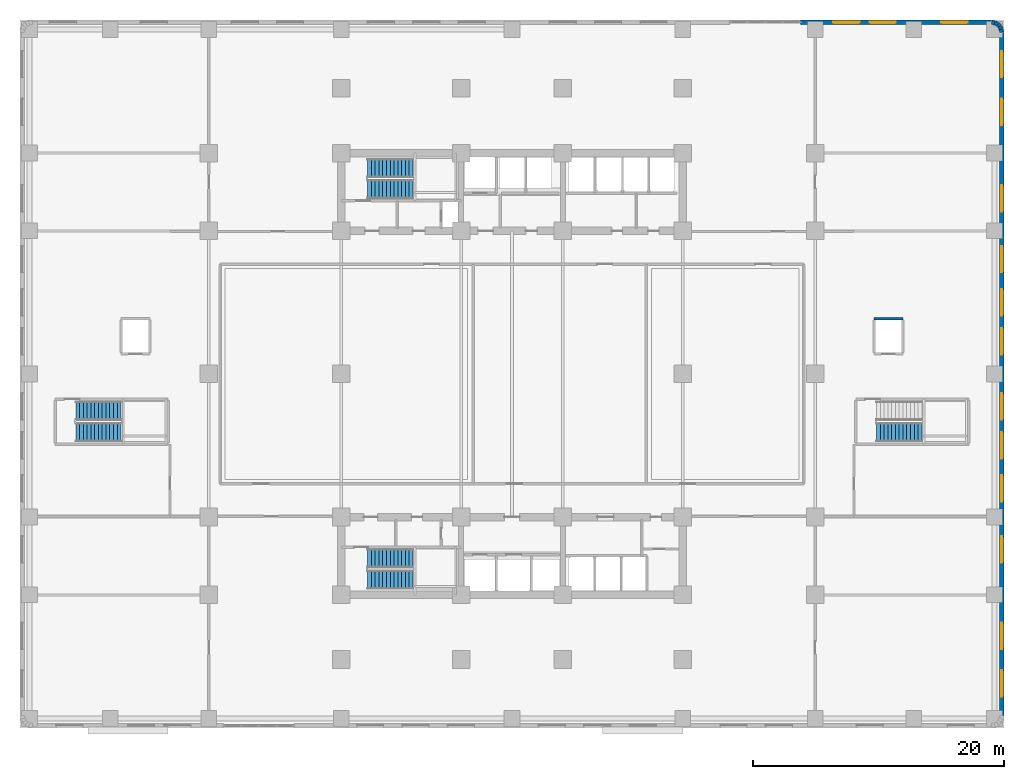
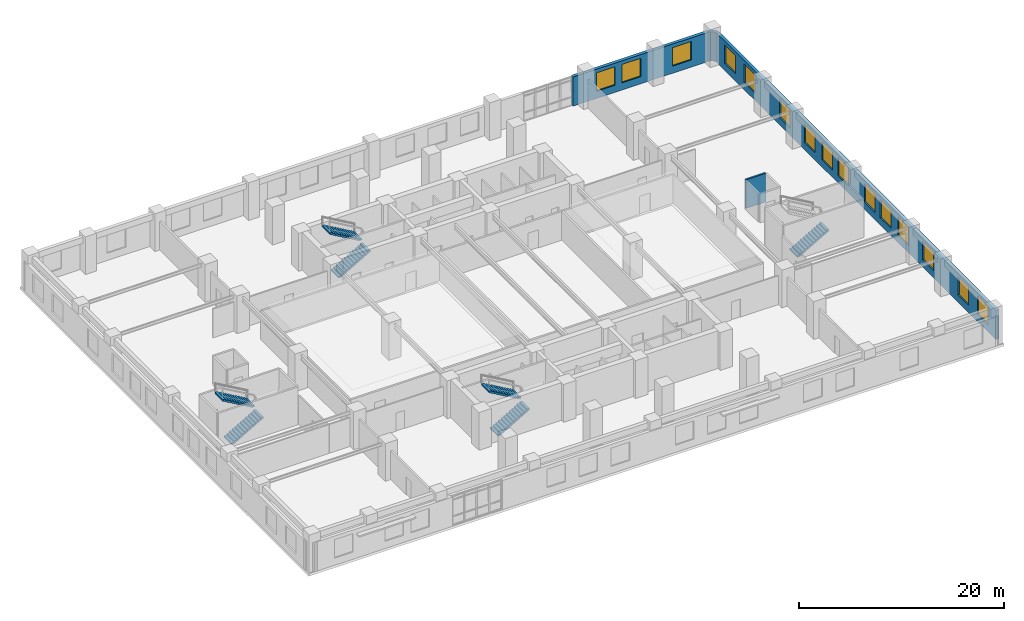
# One storey, part 10 of 15: 15 windows, 8 walls, 7 stair flights, 15 openings, 4 elements without a shape of their own.
"""IFC4 building model written with IfcOpenShell, lengths in metres."""

from ifc_helpers import new_model, si_unit, direction, frame, frame_2d, origin, place, context, subcontext, project, spatial, polyline, rectangle, outline, extrude, material, layer, layer_set, type_object, element, fill, aggregate, save


model = new_model("IFC4")

# Units and contexts
model_context = context("Model", 3, precision=1e-05, world=origin(), true_north=direction((0.0, 1.0)))
body_context = subcontext(model_context, "Body", "Model", "MODEL_VIEW")
ifc_project = project(units=[si_unit("LENGTHUNIT", "METRE"), si_unit("AREAUNIT", "SQUARE_METRE"), si_unit("VOLUMEUNIT", "CUBIC_METRE"), si_unit("PLANEANGLEUNIT", "RADIAN"), si_unit("MASSUNIT", "GRAM", prefix="KILO")], contexts=[model_context])

# Site, building, storey
site_placement = place(None, origin())
site = spatial("IfcSite", under=ifc_project, at=site_placement, CompositionType="ELEMENT")
building_placement = place(site_placement, origin())
building = spatial("IfcBuilding", under=site, at=building_placement, Name="Svetorya Sky Lyceum", CompositionType="ELEMENT")
storey_placement = place(building_placement, frame((0.0, 0.0, 6.60009765625)))
storey = spatial("IfcBuildingStorey", under=building, at=storey_placement, Name="L01", CompositionType="ELEMENT", Elevation=6.60009765625)

# Wall, openings, windows
ifc_material_1 = material(Name="Putilovo limestone rainscreen on autoclaved cellular masonry", Category="masonry")
ifc_layer_1 = layer(ifc_material_1, 0.360107421875)
ifc_layer_set_1 = layer_set([ifc_layer_1], Name="Putilovo limestone rainscreen on autoclaved cellular masonry")
wall_type_1 = type_object("IfcWallType", Name="WL-EXT-360", PredefinedType="SOLIDWALL", material=ifc_layer_set_1)
wall_1_placement = place(storey_placement, frame((78.219970703125, 0.97998046875, 0.0), z_axis=(0.0, 0.0, 1.0), x_axis=(0.0, 1.0, 0.0)))
wall_1 = element("IfcWall", 1, at=wall_1_placement, inside=storey, type_object=wall_type_1, Name="L01 Limestone Exterior Wall 12M", PredefinedType="SOLIDWALL", context=body_context, shape_type="SweptSolid", body=[
    extrude(rectangle(XDim=54.43994140625, YDim=0.360107421875, at=frame_2d((27.219970703125, 0.0))), origin(), (0.0, 0.0, 1.0), 3.47998046875),
])
opening_1_placement = place(wall_1_placement, frame((1.497802734375, 0.0, 0.85009765625)))
opening_1 = element("IfcOpeningElement", 2, at=opening_1_placement, cuts=wall_1, Name="Opening W-S3", PredefinedType="OPENING", context=body_context, shape_type="SweptSolid", body=[
    extrude(rectangle(XDim=2.10009765625, YDim=2.199951171875, at=frame_2d((1.050048828125, 1.10009765625))), frame((0.0, 0.18994140625, 0.0), z_axis=(0.0, -1.0, 0.0), x_axis=(1.0, 0.0, 0.0)), (0.0, 0.0, 1.0), 0.380126953125),
])
opening_2_placement = place(wall_1_placement, frame((5.293701171875, 0.0, 0.85009765625)))
opening_2 = element("IfcOpeningElement", 3, at=opening_2_placement, cuts=wall_1, Name="Opening W-S3", PredefinedType="OPENING", context=body_context, shape_type="SweptSolid", body=[
    extrude(rectangle(XDim=2.10009765625, YDim=2.199951171875, at=frame_2d((1.050048828125, 1.10009765625))), frame((0.0, 0.18994140625, 0.0), z_axis=(0.0, -1.0, 0.0), x_axis=(1.0, 0.0, 0.0)), (0.0, 0.0, 1.0), 0.380126953125),
])
opening_3_placement = place(wall_1_placement, frame((12.18505859375, 0.0, 0.85009765625)))
opening_3 = element("IfcOpeningElement", 4, at=opening_3_placement, cuts=wall_1, Name="Opening W-S3", PredefinedType="OPENING", context=body_context, shape_type="SweptSolid", body=[
    extrude(rectangle(XDim=2.10009765625, YDim=2.199951171875, at=frame_2d((1.050048828125, 1.10009765625))), frame((0.0, 0.18994140625, 0.0), z_axis=(0.0, -1.0, 0.0), x_axis=(1.0, 0.0, 0.0)), (0.0, 0.0, 1.0), 0.380126953125),
])
opening_4_placement = place(wall_1_placement, frame((17.03076171875, 0.0, 0.85009765625)))
opening_4 = element("IfcOpeningElement", 5, at=opening_4_placement, cuts=wall_1, Name="Opening W-S3", PredefinedType="OPENING", context=body_context, shape_type="SweptSolid", body=[
    extrude(rectangle(XDim=2.10009765625, YDim=2.199951171875, at=frame_2d((1.050048828125, 1.10009765625))), frame((0.0, 0.18994140625, 0.0), z_axis=(0.0, -1.0, 0.0), x_axis=(1.0, 0.0, 0.0)), (0.0, 0.0, 1.0), 0.380126953125),
])
opening_5_placement = place(wall_1_placement, frame((20.476318359375, 0.0, 0.85009765625)))
opening_5 = element("IfcOpeningElement", 6, at=opening_5_placement, cuts=wall_1, Name="Opening W-S3", PredefinedType="OPENING", context=body_context, shape_type="SweptSolid", body=[
    extrude(rectangle(XDim=2.10009765625, YDim=2.199951171875, at=frame_2d((1.050048828125, 1.10009765625))), frame((0.0, 0.18994140625, 0.0), z_axis=(0.0, -1.0, 0.0), x_axis=(1.0, 0.0, 0.0)), (0.0, 0.0, 1.0), 0.380126953125),
])
opening_6_placement = place(wall_1_placement, frame((23.572021484375, 0.0, 0.85009765625)))
opening_6 = element("IfcOpeningElement", 7, at=opening_6_placement, cuts=wall_1, Name="Opening W-S3", PredefinedType="OPENING", context=body_context, shape_type="SweptSolid", body=[
    extrude(rectangle(XDim=2.10009765625, YDim=2.199951171875, at=frame_2d((1.050048828125, 1.10009765625))), frame((0.0, 0.18994140625, 0.0), z_axis=(0.0, -1.0, 0.0), x_axis=(1.0, 0.0, 0.0)), (0.0, 0.0, 1.0), 0.380126953125),
])
opening_7_placement = place(wall_1_placement, frame((28.767822265625, 0.0, 0.85009765625)))
opening_7 = element("IfcOpeningElement", 8, at=opening_7_placement, cuts=wall_1, Name="Opening W-S3", PredefinedType="OPENING", context=body_context, shape_type="SweptSolid", body=[
    extrude(rectangle(XDim=2.10009765625, YDim=2.199951171875, at=frame_2d((1.050048828125, 1.10009765625))), frame((0.0, 0.18994140625, 0.0), z_axis=(0.0, -1.0, 0.0), x_axis=(1.0, 0.0, 0.0)), (0.0, 0.0, 1.0), 0.380126953125),
])
opening_8_placement = place(wall_1_placement, frame((31.863525390625, 0.0, 0.85009765625)))
opening_8 = element("IfcOpeningElement", 9, at=opening_8_placement, cuts=wall_1, Name="Opening W-S3", PredefinedType="OPENING", context=body_context, shape_type="SweptSolid", body=[
    extrude(rectangle(XDim=2.10009765625, YDim=2.199951171875, at=frame_2d((1.050048828125, 1.10009765625))), frame((0.0, 0.18994140625, 0.0), z_axis=(0.0, -1.0, 0.0), x_axis=(1.0, 0.0, 0.0)), (0.0, 0.0, 1.0), 0.380126953125),
])
opening_9_placement = place(wall_1_placement, frame((35.309326171875, 0.0, 0.85009765625)))
opening_9 = element("IfcOpeningElement", 10, at=opening_9_placement, cuts=wall_1, Name="Opening W-S3", PredefinedType="OPENING", context=body_context, shape_type="SweptSolid", body=[
    extrude(rectangle(XDim=2.10009765625, YDim=2.199951171875, at=frame_2d((1.050048828125, 1.10009765625))), frame((0.0, 0.18994140625, 0.0), z_axis=(0.0, -1.0, 0.0), x_axis=(1.0, 0.0, 0.0)), (0.0, 0.0, 1.0), 0.380126953125),
])
opening_10_placement = place(wall_1_placement, frame((40.155029296875, 0.0, 0.85009765625)))
opening_10 = element("IfcOpeningElement", 11, at=opening_10_placement, cuts=wall_1, Name="Opening W-S3", PredefinedType="OPENING", context=body_context, shape_type="SweptSolid", body=[
    extrude(rectangle(XDim=2.10009765625, YDim=2.199951171875, at=frame_2d((1.050048828125, 1.10009765625))), frame((0.0, 0.18994140625, 0.0), z_axis=(0.0, -1.0, 0.0), x_axis=(1.0, 0.0, 0.0)), (0.0, 0.0, 1.0), 0.380126953125),
])
opening_11_placement = place(wall_1_placement, frame((47.04638671875, 0.0, 0.85009765625)))
opening_11 = element("IfcOpeningElement", 12, at=opening_11_placement, cuts=wall_1, Name="Opening W-S3", PredefinedType="OPENING", context=body_context, shape_type="SweptSolid", body=[
    extrude(rectangle(XDim=2.10009765625, YDim=2.199951171875, at=frame_2d((1.050048828125, 1.10009765625))), frame((0.0, 0.18994140625, 0.0), z_axis=(0.0, -1.0, 0.0), x_axis=(1.0, 0.0, 0.0)), (0.0, 0.0, 1.0), 0.380126953125),
])
opening_12_placement = place(wall_1_placement, frame((50.842041015625, 0.0, 0.85009765625)))
opening_12 = element("IfcOpeningElement", 13, at=opening_12_placement, cuts=wall_1, Name="Opening W-S3", PredefinedType="OPENING", context=body_context, shape_type="SweptSolid", body=[
    extrude(rectangle(XDim=2.10009765625, YDim=2.199951171875, at=frame_2d((1.050048828125, 1.10009765625))), frame((0.0, 0.18994140625, 0.0), z_axis=(0.0, -1.0, 0.0), x_axis=(1.0, 0.0, 0.0)), (0.0, 0.0, 1.0), 0.380126953125),
])
ifc_material_2 = material(Name="Thermally broken aluminium frame with triple low-E glazing", Category="aluminium")
window_type = type_object("IfcWindowType", Name="WN-SCH-210", PartitioningType="TRIPLE_PANEL_VERTICAL", PredefinedType="WINDOW", material=ifc_material_2)
window_1_placement = place(opening_1_placement, origin())
window_1 = element("IfcWindow", 14, at=window_1_placement, inside=storey, type_object=window_type, Name="L01 Facade Window W-S3.12M.1", OverallHeight=2.199951171875, OverallWidth=2.10009765625, PartitioningType="SINGLE_PANEL", PredefinedType="WINDOW", context=body_context, shape_type="SweptSolid", body=[
    extrude(rectangle(XDim=2.10009765625, YDim=2.199951171875, at=frame_2d((1.050048828125, 1.10009765625))), frame((0.0, 0.030029296875, 0.0), z_axis=(0.0, -1.0, 0.0), x_axis=(1.0, 0.0, 0.0)), (0.0, 0.0, 1.0), 0.06005859375),
])
fill(opening_1, window_1)
window_2_placement = place(opening_2_placement, origin())
window_2 = element("IfcWindow", 15, at=window_2_placement, inside=storey, type_object=window_type, Name="L01 Facade Window W-S3.12M.2", OverallHeight=2.199951171875, OverallWidth=2.10009765625, PartitioningType="SINGLE_PANEL", PredefinedType="WINDOW", context=body_context, shape_type="SweptSolid", body=[
    extrude(rectangle(XDim=2.10009765625, YDim=2.199951171875, at=frame_2d((1.050048828125, 1.10009765625))), frame((0.0, 0.030029296875, 0.0), z_axis=(0.0, -1.0, 0.0), x_axis=(1.0, 0.0, 0.0)), (0.0, 0.0, 1.0), 0.06005859375),
])
fill(opening_2, window_2)
window_3_placement = place(opening_3_placement, origin())
window_3 = element("IfcWindow", 16, at=window_3_placement, inside=storey, type_object=window_type, Name="L01 Facade Window W-S3.12M.3", OverallHeight=2.199951171875, OverallWidth=2.10009765625, PartitioningType="SINGLE_PANEL", PredefinedType="WINDOW", context=body_context, shape_type="SweptSolid", body=[
    extrude(rectangle(XDim=2.10009765625, YDim=2.199951171875, at=frame_2d((1.050048828125, 1.10009765625))), frame((0.0, 0.030029296875, 0.0), z_axis=(0.0, -1.0, 0.0), x_axis=(1.0, 0.0, 0.0)), (0.0, 0.0, 1.0), 0.06005859375),
])
fill(opening_3, window_3)
window_4_placement = place(opening_4_placement, origin())
window_4 = element("IfcWindow", 17, at=window_4_placement, inside=storey, type_object=window_type, Name="L01 Facade Window W-S3.12M.4", OverallHeight=2.199951171875, OverallWidth=2.10009765625, PartitioningType="SINGLE_PANEL", PredefinedType="WINDOW", context=body_context, shape_type="SweptSolid", body=[
    extrude(rectangle(XDim=2.10009765625, YDim=2.199951171875, at=frame_2d((1.050048828125, 1.10009765625))), frame((0.0, 0.030029296875, 0.0), z_axis=(0.0, -1.0, 0.0), x_axis=(1.0, 0.0, 0.0)), (0.0, 0.0, 1.0), 0.06005859375),
])
fill(opening_4, window_4)
window_5_placement = place(opening_5_placement, origin())
window_5 = element("IfcWindow", 18, at=window_5_placement, inside=storey, type_object=window_type, Name="L01 Facade Window W-S3.12M.5", OverallHeight=2.199951171875, OverallWidth=2.10009765625, PartitioningType="SINGLE_PANEL", PredefinedType="WINDOW", context=body_context, shape_type="SweptSolid", body=[
    extrude(rectangle(XDim=2.10009765625, YDim=2.199951171875, at=frame_2d((1.050048828125, 1.10009765625))), frame((0.0, 0.030029296875, 0.0), z_axis=(0.0, -1.0, 0.0), x_axis=(1.0, 0.0, 0.0)), (0.0, 0.0, 1.0), 0.06005859375),
])
fill(opening_5, window_5)
window_6_placement = place(opening_6_placement, origin())
window_6 = element("IfcWindow", 19, at=window_6_placement, inside=storey, type_object=window_type, Name="L01 Facade Window W-S3.12M.6", OverallHeight=2.199951171875, OverallWidth=2.10009765625, PartitioningType="SINGLE_PANEL", PredefinedType="WINDOW", context=body_context, shape_type="SweptSolid", body=[
    extrude(rectangle(XDim=2.10009765625, YDim=2.199951171875, at=frame_2d((1.050048828125, 1.10009765625))), frame((0.0, 0.030029296875, 0.0), z_axis=(0.0, -1.0, 0.0), x_axis=(1.0, 0.0, 0.0)), (0.0, 0.0, 1.0), 0.06005859375),
])
fill(opening_6, window_6)
window_7_placement = place(opening_7_placement, origin())
window_7 = element("IfcWindow", 20, at=window_7_placement, inside=storey, type_object=window_type, Name="L01 Facade Window W-S3.12M.7", OverallHeight=2.199951171875, OverallWidth=2.10009765625, PartitioningType="SINGLE_PANEL", PredefinedType="WINDOW", context=body_context, shape_type="SweptSolid", body=[
    extrude(rectangle(XDim=2.10009765625, YDim=2.199951171875, at=frame_2d((1.050048828125, 1.10009765625))), frame((0.0, 0.030029296875, 0.0), z_axis=(0.0, -1.0, 0.0), x_axis=(1.0, 0.0, 0.0)), (0.0, 0.0, 1.0), 0.06005859375),
])
fill(opening_7, window_7)
window_8_placement = place(opening_8_placement, origin())
window_8 = element("IfcWindow", 21, at=window_8_placement, inside=storey, type_object=window_type, Name="L01 Facade Window W-S3.12M.8", OverallHeight=2.199951171875, OverallWidth=2.10009765625, PartitioningType="SINGLE_PANEL", PredefinedType="WINDOW", context=body_context, shape_type="SweptSolid", body=[
    extrude(rectangle(XDim=2.10009765625, YDim=2.199951171875, at=frame_2d((1.050048828125, 1.10009765625))), frame((0.0, 0.030029296875, 0.0), z_axis=(0.0, -1.0, 0.0), x_axis=(1.0, 0.0, 0.0)), (0.0, 0.0, 1.0), 0.06005859375),
])
fill(opening_8, window_8)
window_9_placement = place(opening_9_placement, origin())
window_9 = element("IfcWindow", 22, at=window_9_placement, inside=storey, type_object=window_type, Name="L01 Facade Window W-S3.12M.9", OverallHeight=2.199951171875, OverallWidth=2.10009765625, PartitioningType="SINGLE_PANEL", PredefinedType="WINDOW", context=body_context, shape_type="SweptSolid", body=[
    extrude(rectangle(XDim=2.10009765625, YDim=2.199951171875, at=frame_2d((1.050048828125, 1.10009765625))), frame((0.0, 0.030029296875, 0.0), z_axis=(0.0, -1.0, 0.0), x_axis=(1.0, 0.0, 0.0)), (0.0, 0.0, 1.0), 0.06005859375),
])
fill(opening_9, window_9)
window_10_placement = place(opening_10_placement, origin())
window_10 = element("IfcWindow", 23, at=window_10_placement, inside=storey, type_object=window_type, Name="L01 Facade Window W-S3.12M.10", OverallHeight=2.199951171875, OverallWidth=2.10009765625, PartitioningType="SINGLE_PANEL", PredefinedType="WINDOW", context=body_context, shape_type="SweptSolid", body=[
    extrude(rectangle(XDim=2.10009765625, YDim=2.199951171875, at=frame_2d((1.050048828125, 1.10009765625))), frame((0.0, 0.030029296875, 0.0), z_axis=(0.0, -1.0, 0.0), x_axis=(1.0, 0.0, 0.0)), (0.0, 0.0, 1.0), 0.06005859375),
])
fill(opening_10, window_10)
window_11_placement = place(opening_11_placement, origin())
window_11 = element("IfcWindow", 24, at=window_11_placement, inside=storey, type_object=window_type, Name="L01 Facade Window W-S3.12M.11", OverallHeight=2.199951171875, OverallWidth=2.10009765625, PartitioningType="SINGLE_PANEL", PredefinedType="WINDOW", context=body_context, shape_type="SweptSolid", body=[
    extrude(rectangle(XDim=2.10009765625, YDim=2.199951171875, at=frame_2d((1.050048828125, 1.10009765625))), frame((0.0, 0.030029296875, 0.0), z_axis=(0.0, -1.0, 0.0), x_axis=(1.0, 0.0, 0.0)), (0.0, 0.0, 1.0), 0.06005859375),
])
fill(opening_11, window_11)
window_12_placement = place(opening_12_placement, origin())
window_12 = element("IfcWindow", 25, at=window_12_placement, inside=storey, type_object=window_type, Name="L01 Facade Window W-S3.12M.12", OverallHeight=2.199951171875, OverallWidth=2.10009765625, PartitioningType="SINGLE_PANEL", PredefinedType="WINDOW", context=body_context, shape_type="SweptSolid", body=[
    extrude(rectangle(XDim=2.10009765625, YDim=2.199951171875, at=frame_2d((1.050048828125, 1.10009765625))), frame((0.0, 0.030029296875, 0.0), z_axis=(0.0, -1.0, 0.0), x_axis=(1.0, 0.0, 0.0)), (0.0, 0.0, 1.0), 0.06005859375),
])
fill(opening_12, window_12)

# Walls
wall_2_placement = place(storey_placement, frame((78.219970703125, 55.419921875, 0.0), z_axis=(0.0, 0.0, 1.0), x_axis=(-0.156012644899, 0.987755058014, 0.0)))
element("IfcWall", 26, at=wall_2_placement, inside=storey, type_object=wall_type_1, Name="L01 Limestone Exterior Wall 13M", PredefinedType="SOLIDWALL", context=body_context, shape_type="SweptSolid", body=[
    extrude(rectangle(XDim=0.25048828125, YDim=0.360107421875, at=frame_2d((0.125244140625, 0.0))), origin(), (0.0, 0.0, 1.0), 3.47998046875),
])
for number, where, z_axis, x_axis, name in (
    (27, (78.180908203125, 55.667236328125, 0.0), (0.0, 0.0, 1.0), (-0.45461251152, 0.89068931978, 0.0), "L01 Limestone Exterior Wall 14M"),
    (28, (78.067138671875, 55.89013671875, 0.0), (0.0, 0.0, 1.0), (-0.707106781187, 0.707106781187, 0.0), "L01 Limestone Exterior Wall 15M"),
    (29, (77.89013671875, 56.067138671875, 0.0), (0.0, 0.0, 1.0), (-0.89068931978, 0.45461251152, 0.0), "L01 Limestone Exterior Wall 16M"),
):
    element("IfcWall", number, at=place(storey_placement, frame(where, z_axis=z_axis, x_axis=x_axis)), inside=storey, type_object=wall_type_1, Name=name, PredefinedType="SOLIDWALL", context=body_context, shape_type="SweptSolid", body=[
        extrude(rectangle(XDim=0.250244140625, YDim=0.360107421875, at=frame_2d((0.125, 0.0))), origin(), (0.0, 0.0, 1.0), 3.47998046875),
    ])
wall_3_placement = place(storey_placement, frame((77.667236328125, 56.180908203125, 0.0), z_axis=(0.0, 0.0, 1.0), x_axis=(-0.987755058014, 0.156012644899, 0.0)))
element("IfcWall", 30, at=wall_3_placement, inside=storey, type_object=wall_type_1, Name="L01 Limestone Exterior Wall 17M", PredefinedType="SOLIDWALL", context=body_context, shape_type="SweptSolid", body=[
    extrude(rectangle(XDim=0.25048828125, YDim=0.360107421875, at=frame_2d((0.125244140625, 0.0))), origin(), (0.0, 0.0, 1.0), 3.47998046875),
])

# Wall, openings, windows
wall_4_placement = place(storey_placement, frame((77.419921875, 56.219970703125, 0.0), z_axis=(0.0, 0.0, 1.0), x_axis=(-1.0, 0.0, 0.0)))
wall_4 = element("IfcWall", 31, at=wall_4_placement, inside=storey, type_object=wall_type_1, Name="L01 Limestone Exterior Wall 18A", PredefinedType="SOLIDWALL", context=body_context, shape_type="SweptSolid", body=[
    extrude(rectangle(XDim=15.25, YDim=0.360107421875, at=frame_2d((7.625, 0.0))), origin(), (0.0, 0.0, 1.0), 3.47998046875),
])
opening_13_placement = place(wall_4_placement, frame((1.925048828125, 0.0, 0.85009765625)))
opening_13 = element("IfcOpeningElement", 32, at=opening_13_placement, cuts=wall_4, Name="Opening W-S3", PredefinedType="OPENING", context=body_context, shape_type="SweptSolid", body=[
    extrude(rectangle(XDim=2.10009765625, YDim=2.199951171875, at=frame_2d((1.050048828125, 1.10009765625))), frame((0.0, 0.18994140625, 0.0), z_axis=(0.0, -1.0, 0.0), x_axis=(1.0, 0.0, 0.0)), (0.0, 0.0, 1.0), 0.380126953125),
])
opening_14_placement = place(wall_4_placement, frame((7.625, 0.0, 0.85009765625)))
opening_14 = element("IfcOpeningElement", 33, at=opening_14_placement, cuts=wall_4, Name="Opening W-S3", PredefinedType="OPENING", context=body_context, shape_type="SweptSolid", body=[
    extrude(rectangle(XDim=2.10009765625, YDim=2.199951171875, at=frame_2d((1.050048828125, 1.10009765625))), frame((0.0, 0.18994140625, 0.0), z_axis=(0.0, -1.0, 0.0), x_axis=(1.0, 0.0, 0.0)), (0.0, 0.0, 1.0), 0.380126953125),
])
opening_15_placement = place(wall_4_placement, frame((10.52490234375, 0.0, 0.85009765625)))
opening_15 = element("IfcOpeningElement", 34, at=opening_15_placement, cuts=wall_4, Name="Opening W-S3", PredefinedType="OPENING", context=body_context, shape_type="SweptSolid", body=[
    extrude(rectangle(XDim=2.10009765625, YDim=2.199951171875, at=frame_2d((1.050048828125, 1.10009765625))), frame((0.0, 0.18994140625, 0.0), z_axis=(0.0, -1.0, 0.0), x_axis=(1.0, 0.0, 0.0)), (0.0, 0.0, 1.0), 0.380126953125),
])
window_13_placement = place(opening_13_placement, origin())
window_13 = element("IfcWindow", 35, at=window_13_placement, inside=storey, type_object=window_type, Name="L01 Facade Window W-S3.18A.1", OverallHeight=2.199951171875, OverallWidth=2.10009765625, PartitioningType="SINGLE_PANEL", PredefinedType="WINDOW", context=body_context, shape_type="SweptSolid", body=[
    extrude(rectangle(XDim=2.10009765625, YDim=2.199951171875, at=frame_2d((1.050048828125, 1.10009765625))), frame((0.0, 0.030029296875, 0.0), z_axis=(0.0, -1.0, 0.0), x_axis=(1.0, 0.0, 0.0)), (0.0, 0.0, 1.0), 0.06005859375),
])
fill(opening_13, window_13)
window_14_placement = place(opening_14_placement, origin())
window_14 = element("IfcWindow", 36, at=window_14_placement, inside=storey, type_object=window_type, Name="L01 Facade Window W-S3.18A.2", OverallHeight=2.199951171875, OverallWidth=2.10009765625, PartitioningType="SINGLE_PANEL", PredefinedType="WINDOW", context=body_context, shape_type="SweptSolid", body=[
    extrude(rectangle(XDim=2.10009765625, YDim=2.199951171875, at=frame_2d((1.050048828125, 1.10009765625))), frame((0.0, 0.030029296875, 0.0), z_axis=(0.0, -1.0, 0.0), x_axis=(1.0, 0.0, 0.0)), (0.0, 0.0, 1.0), 0.06005859375),
])
fill(opening_14, window_14)
window_15_placement = place(opening_15_placement, origin())
window_15 = element("IfcWindow", 37, at=window_15_placement, inside=storey, type_object=window_type, Name="L01 Facade Window W-S3.18A.3", OverallHeight=2.199951171875, OverallWidth=2.10009765625, PartitioningType="SINGLE_PANEL", PredefinedType="WINDOW", context=body_context, shape_type="SweptSolid", body=[
    extrude(rectangle(XDim=2.10009765625, YDim=2.199951171875, at=frame_2d((1.050048828125, 1.10009765625))), frame((0.0, 0.030029296875, 0.0), z_axis=(0.0, -1.0, 0.0), x_axis=(1.0, 0.0, 0.0)), (0.0, 0.0, 1.0), 0.06005859375),
])
fill(opening_15, window_15)

# Wall
ifc_material_3 = material(Name="Autoclaved cellular masonry blockwork with gypsum plaster", Category="masonry")
ifc_layer_2 = layer(ifc_material_3, 0.199951171875)
ifc_layer_set_2 = layer_set([ifc_layer_2], Name="Autoclaved cellular masonry blockwork with gypsum plaster")
wall_type_2 = type_object("IfcWallType", Name="WL-PART-200", PredefinedType="PARTITIONING", material=ifc_layer_set_2)
wall_5_placement = place(storey_placement, frame((68.050048828125, 32.60009765625, 0.0), z_axis=(0.0, 0.0, 1.0), x_axis=(1.0, 0.0, 0.0)))
element("IfcWall", 38, at=wall_5_placement, inside=storey, type_object=wall_type_2, Name="L01 Interior Partition SHL-N-SCHL2", PredefinedType="PARTITIONING", context=body_context, shape_type="SweptSolid", body=[
    extrude(rectangle(XDim=2.300048828125, YDim=0.199951171875, at=frame_2d((1.14990234375, 0.0))), origin(), (0.0, 0.0, 1.0), 3.419921875),
])

# Stair, stair flights
ifc_material_4 = material(Name="Concrete C40/50", Category="concrete")
stair_type_1 = type_object("IfcStairType", Name="STR-ST-N", PredefinedType="HALF_TURN_STAIR", material=ifc_material_4)
stair_1_placement = place(storey_placement, origin())
stair_1 = element("IfcStair", 39, at=stair_1_placement, inside=storey, type_object=stair_type_1, Name="L01 North Core Smoke-Free Exit Stair N3", PredefinedType="HALF_TURN_STAIR")
stair_flight_type_1 = type_object("IfcStairFlightType", Name="SFL-ST-N", PredefinedType="STRAIGHT", material=ifc_material_4)
stair_flight_1_placement = place(storey_placement, frame((27.699951171875, 42.89990234375, 0.0), z_axis=(0.0, 0.0, 1.0), x_axis=(1.0, 0.0, 0.0)))
stair_flight_1 = element("IfcStairFlight", 40, at=stair_flight_1_placement, type_object=stair_flight_type_1, Name="ST-N flight 1", NumberOfRisers=13, NumberOfTreads=12, PredefinedType="STRAIGHT", RiserHeight=0.173076923, TreadLength=0.3, context=body_context, shape_type="SweptSolid", body=[
    extrude(outline(polyline([(0.0, 0.0), (0.0, 0.173095703125), (0.300048828125, 0.173095703125), (0.300048828125, 0.34619140625), (0.60009765625, 0.34619140625), (0.60009765625, 0.519287109375), (0.89990234375, 0.519287109375), (0.89990234375, 0.6923828125), (1.199951171875, 0.6923828125), (1.199951171875, 0.865478515625), (1.5, 0.865478515625), (1.5, 1.03857421875), (1.800048828125, 1.03857421875), (1.800048828125, 1.21142578125), (2.10009765625, 1.21142578125), (2.10009765625, 1.384521484375), (2.39990234375, 1.384521484375), (2.39990234375, 1.5576171875), (2.699951171875, 1.5576171875), (2.699951171875, 1.730712890625), (3.0, 1.730712890625), (3.0, 1.90380859375), (3.300048828125, 1.90380859375), (3.300048828125, 2.076904296875), (3.60009765625, 2.076904296875), (3.60009765625, 2.25), (3.60009765625, 1.90380859375), (0.300048828125, 0.0), (0.0, 0.0)])), frame((0.0, 0.75, 0.0), z_axis=(0.0, -1.0, 0.0), x_axis=(1.0, 0.0, 0.0)), (0.0, 0.0, 1.0), 1.5),
])
stair_flight_2_placement = place(storey_placement, frame((31.300048828125, 44.60009765625, 2.25), z_axis=(0.0, 0.0, 1.0), x_axis=(-1.0, 0.0, 0.0)))
stair_flight_2 = element("IfcStairFlight", 41, at=stair_flight_2_placement, type_object=stair_flight_type_1, Name="ST-N flight 2", NumberOfRisers=13, NumberOfTreads=12, PredefinedType="STRAIGHT", RiserHeight=0.173076923, TreadLength=0.3, context=body_context, shape_type="SweptSolid", body=[
    extrude(outline(polyline([(0.0, 0.0), (0.0, 0.173095703125), (0.300048828125, 0.173095703125), (0.300048828125, 0.34619140625), (0.60009765625, 0.34619140625), (0.60009765625, 0.519287109375), (0.89990234375, 0.519287109375), (0.89990234375, 0.6923828125), (1.199951171875, 0.6923828125), (1.199951171875, 0.865478515625), (1.5, 0.865478515625), (1.5, 1.03857421875), (1.800048828125, 1.03857421875), (1.800048828125, 1.21142578125), (2.10009765625, 1.21142578125), (2.10009765625, 1.384521484375), (2.39990234375, 1.384521484375), (2.39990234375, 1.5576171875), (2.699951171875, 1.5576171875), (2.699951171875, 1.730712890625), (3.0, 1.730712890625), (3.0, 1.90380859375), (3.300048828125, 1.90380859375), (3.300048828125, 2.076904296875), (3.60009765625, 2.076904296875), (3.60009765625, 2.25), (3.60009765625, 1.90380859375), (0.300048828125, 0.0), (0.0, 0.0)])), frame((0.0, 0.75, 0.0), z_axis=(0.0, -1.0, 0.0), x_axis=(1.0, 0.0, 0.0)), (0.0, 0.0, 1.0), 1.5),
])
aggregate(stair_1, [stair_flight_1, stair_flight_2])

stair_type_2 = type_object("IfcStairType", Name="STR-ST-S", PredefinedType="HALF_TURN_STAIR", material=ifc_material_4)
stair_2_placement = place(storey_placement, origin())
stair_2 = element("IfcStair", 42, at=stair_2_placement, inside=storey, type_object=stair_type_2, Name="L01 South Core Smoke-Free Exit Stair N2", PredefinedType="HALF_TURN_STAIR")
stair_flight_type_2 = type_object("IfcStairFlightType", Name="SFL-ST-S", PredefinedType="STRAIGHT", material=ifc_material_4)
stair_flight_3_placement = place(storey_placement, frame((27.699951171875, 11.800048828125, 0.0), z_axis=(0.0, 0.0, 1.0), x_axis=(1.0, 0.0, 0.0)))
stair_flight_3 = element("IfcStairFlight", 43, at=stair_flight_3_placement, type_object=stair_flight_type_2, Name="ST-S flight 1", NumberOfRisers=13, NumberOfTreads=12, PredefinedType="STRAIGHT", RiserHeight=0.173076923, TreadLength=0.3, context=body_context, shape_type="SweptSolid", body=[
    extrude(outline(polyline([(0.0, 0.0), (0.0, 0.173095703125), (0.300048828125, 0.173095703125), (0.300048828125, 0.34619140625), (0.60009765625, 0.34619140625), (0.60009765625, 0.519287109375), (0.89990234375, 0.519287109375), (0.89990234375, 0.6923828125), (1.199951171875, 0.6923828125), (1.199951171875, 0.865478515625), (1.5, 0.865478515625), (1.5, 1.03857421875), (1.800048828125, 1.03857421875), (1.800048828125, 1.21142578125), (2.10009765625, 1.21142578125), (2.10009765625, 1.384521484375), (2.39990234375, 1.384521484375), (2.39990234375, 1.5576171875), (2.699951171875, 1.5576171875), (2.699951171875, 1.730712890625), (3.0, 1.730712890625), (3.0, 1.90380859375), (3.300048828125, 1.90380859375), (3.300048828125, 2.076904296875), (3.60009765625, 2.076904296875), (3.60009765625, 2.25), (3.60009765625, 1.90380859375), (0.300048828125, 0.0), (0.0, 0.0)])), frame((0.0, 0.75, 0.0), z_axis=(0.0, -1.0, 0.0), x_axis=(1.0, 0.0, 0.0)), (0.0, 0.0, 1.0), 1.5),
])
stair_flight_4_placement = place(storey_placement, frame((31.300048828125, 13.5, 2.25), z_axis=(0.0, 0.0, 1.0), x_axis=(-1.0, 0.0, 0.0)))
stair_flight_4 = element("IfcStairFlight", 44, at=stair_flight_4_placement, type_object=stair_flight_type_2, Name="ST-S flight 2", NumberOfRisers=13, NumberOfTreads=12, PredefinedType="STRAIGHT", RiserHeight=0.173076923, TreadLength=0.3, context=body_context, shape_type="SweptSolid", body=[
    extrude(outline(polyline([(0.0, 0.0), (0.0, 0.173095703125), (0.300048828125, 0.173095703125), (0.300048828125, 0.34619140625), (0.60009765625, 0.34619140625), (0.60009765625, 0.519287109375), (0.89990234375, 0.519287109375), (0.89990234375, 0.6923828125), (1.199951171875, 0.6923828125), (1.199951171875, 0.865478515625), (1.5, 0.865478515625), (1.5, 1.03857421875), (1.800048828125, 1.03857421875), (1.800048828125, 1.21142578125), (2.10009765625, 1.21142578125), (2.10009765625, 1.384521484375), (2.39990234375, 1.384521484375), (2.39990234375, 1.5576171875), (2.699951171875, 1.5576171875), (2.699951171875, 1.730712890625), (3.0, 1.730712890625), (3.0, 1.90380859375), (3.300048828125, 1.90380859375), (3.300048828125, 2.076904296875), (3.60009765625, 2.076904296875), (3.60009765625, 2.25), (3.60009765625, 1.90380859375), (0.300048828125, 0.0), (0.0, 0.0)])), frame((0.0, 0.75, 0.0), z_axis=(0.0, -1.0, 0.0), x_axis=(1.0, 0.0, 0.0)), (0.0, 0.0, 1.0), 1.5),
])
aggregate(stair_2, [stair_flight_3, stair_flight_4])

# Stair, stair flight
stair_type_3 = type_object("IfcStairType", Name="STR-ST-SCH-E", PredefinedType="HALF_TURN_STAIR", material=ifc_material_4)
stair_3_placement = place(storey_placement, origin())
stair_3 = element("IfcStair", 45, at=stair_3_placement, inside=storey, type_object=stair_type_3, Name="L01 East Lyceum Podium Dedicated Stair", PredefinedType="HALF_TURN_STAIR")
stair_flight_type_3 = type_object("IfcStairFlightType", Name="SFL-ST-SCH-E", PredefinedType="STRAIGHT", material=ifc_material_4)
stair_flight_5_placement = place(storey_placement, frame((68.25, 23.550048828125, 0.0), z_axis=(0.0, 0.0, 1.0), x_axis=(1.0, 0.0, 0.0)))
stair_flight_5 = element("IfcStairFlight", 46, at=stair_flight_5_placement, type_object=stair_flight_type_3, Name="ST-SCH-E flight 1", NumberOfRisers=13, NumberOfTreads=12, PredefinedType="STRAIGHT", RiserHeight=0.173076923, TreadLength=0.3, context=body_context, shape_type="SweptSolid", body=[
    extrude(outline(polyline([(0.0, 0.0), (0.0, 0.173095703125), (0.300048828125, 0.173095703125), (0.300048828125, 0.34619140625), (0.60009765625, 0.34619140625), (0.60009765625, 0.519287109375), (0.89990234375, 0.519287109375), (0.89990234375, 0.6923828125), (1.199951171875, 0.6923828125), (1.199951171875, 0.865478515625), (1.5, 0.865478515625), (1.5, 1.03857421875), (1.800048828125, 1.03857421875), (1.800048828125, 1.21142578125), (2.10009765625, 1.21142578125), (2.10009765625, 1.384521484375), (2.39990234375, 1.384521484375), (2.39990234375, 1.5576171875), (2.699951171875, 1.5576171875), (2.699951171875, 1.730712890625), (3.0, 1.730712890625), (3.0, 1.90380859375), (3.300048828125, 1.90380859375), (3.300048828125, 2.076904296875), (3.60009765625, 2.076904296875), (3.60009765625, 2.25), (3.60009765625, 1.90380859375), (0.300048828125, 0.0), (0.0, 0.0)])), frame((0.0, 0.75, 0.0), z_axis=(0.0, -1.0, 0.0), x_axis=(1.0, 0.0, 0.0)), (0.0, 0.0, 1.0), 1.5),
])
aggregate(stair_3, [stair_flight_5])

# Stair, stair flights
stair_type_4 = type_object("IfcStairType", Name="STR-ST-SCH-W", PredefinedType="HALF_TURN_STAIR", material=ifc_material_4)
stair_4_placement = place(storey_placement, origin())
stair_4 = element("IfcStair", 47, at=stair_4_placement, inside=storey, type_object=stair_type_4, Name="L01 West Lyceum Podium Dedicated Stair", PredefinedType="HALF_TURN_STAIR")
stair_flight_type_4 = type_object("IfcStairFlightType", Name="SFL-ST-SCH-W", PredefinedType="STRAIGHT", material=ifc_material_4)
stair_flight_6_placement = place(storey_placement, frame((4.449951171875, 23.550048828125, 0.0), z_axis=(0.0, 0.0, 1.0), x_axis=(1.0, 0.0, 0.0)))
stair_flight_6 = element("IfcStairFlight", 48, at=stair_flight_6_placement, type_object=stair_flight_type_4, Name="ST-SCH-W flight 1", NumberOfRisers=13, NumberOfTreads=12, PredefinedType="STRAIGHT", RiserHeight=0.173076923, TreadLength=0.3, context=body_context, shape_type="SweptSolid", body=[
    extrude(outline(polyline([(0.0, 0.0), (0.0, 0.173095703125), (0.300048828125, 0.173095703125), (0.300048828125, 0.34619140625), (0.60009765625, 0.34619140625), (0.60009765625, 0.519287109375), (0.89990234375, 0.519287109375), (0.89990234375, 0.6923828125), (1.199951171875, 0.6923828125), (1.199951171875, 0.865478515625), (1.5, 0.865478515625), (1.5, 1.03857421875), (1.800048828125, 1.03857421875), (1.800048828125, 1.21142578125), (2.10009765625, 1.21142578125), (2.10009765625, 1.384521484375), (2.39990234375, 1.384521484375), (2.39990234375, 1.5576171875), (2.699951171875, 1.5576171875), (2.699951171875, 1.730712890625), (3.0, 1.730712890625), (3.0, 1.90380859375), (3.300048828125, 1.90380859375), (3.300048828125, 2.076904296875), (3.60009765625, 2.076904296875), (3.60009765625, 2.25), (3.60009765625, 1.90380859375), (0.300048828125, 0.0), (0.0, 0.0)])), frame((0.0, 0.75, 0.0), z_axis=(0.0, -1.0, 0.0), x_axis=(1.0, 0.0, 0.0)), (0.0, 0.0, 1.0), 1.5),
])
stair_flight_7_placement = place(storey_placement, frame((8.050048828125, 25.25, 2.25), z_axis=(0.0, 0.0, 1.0), x_axis=(-1.0, 0.0, 0.0)))
stair_flight_7 = element("IfcStairFlight", 49, at=stair_flight_7_placement, type_object=stair_flight_type_4, Name="ST-SCH-W flight 2", NumberOfRisers=13, NumberOfTreads=12, PredefinedType="STRAIGHT", RiserHeight=0.173076923, TreadLength=0.3, context=body_context, shape_type="SweptSolid", body=[
    extrude(outline(polyline([(0.0, 0.0), (0.0, 0.173095703125), (0.300048828125, 0.173095703125), (0.300048828125, 0.34619140625), (0.60009765625, 0.34619140625), (0.60009765625, 0.519287109375), (0.89990234375, 0.519287109375), (0.89990234375, 0.6923828125), (1.199951171875, 0.6923828125), (1.199951171875, 0.865478515625), (1.5, 0.865478515625), (1.5, 1.03857421875), (1.800048828125, 1.03857421875), (1.800048828125, 1.21142578125), (2.10009765625, 1.21142578125), (2.10009765625, 1.384521484375), (2.39990234375, 1.384521484375), (2.39990234375, 1.5576171875), (2.699951171875, 1.5576171875), (2.699951171875, 1.730712890625), (3.0, 1.730712890625), (3.0, 1.90380859375), (3.300048828125, 1.90380859375), (3.300048828125, 2.076904296875), (3.60009765625, 2.076904296875), (3.60009765625, 2.25), (3.60009765625, 1.90380859375), (0.300048828125, 0.0), (0.0, 0.0)])), frame((0.0, 0.75, 0.0), z_axis=(0.0, -1.0, 0.0), x_axis=(1.0, 0.0, 0.0)), (0.0, 0.0, 1.0), 1.5),
])
aggregate(stair_4, [stair_flight_6, stair_flight_7])

save(model, "model.ifc")
